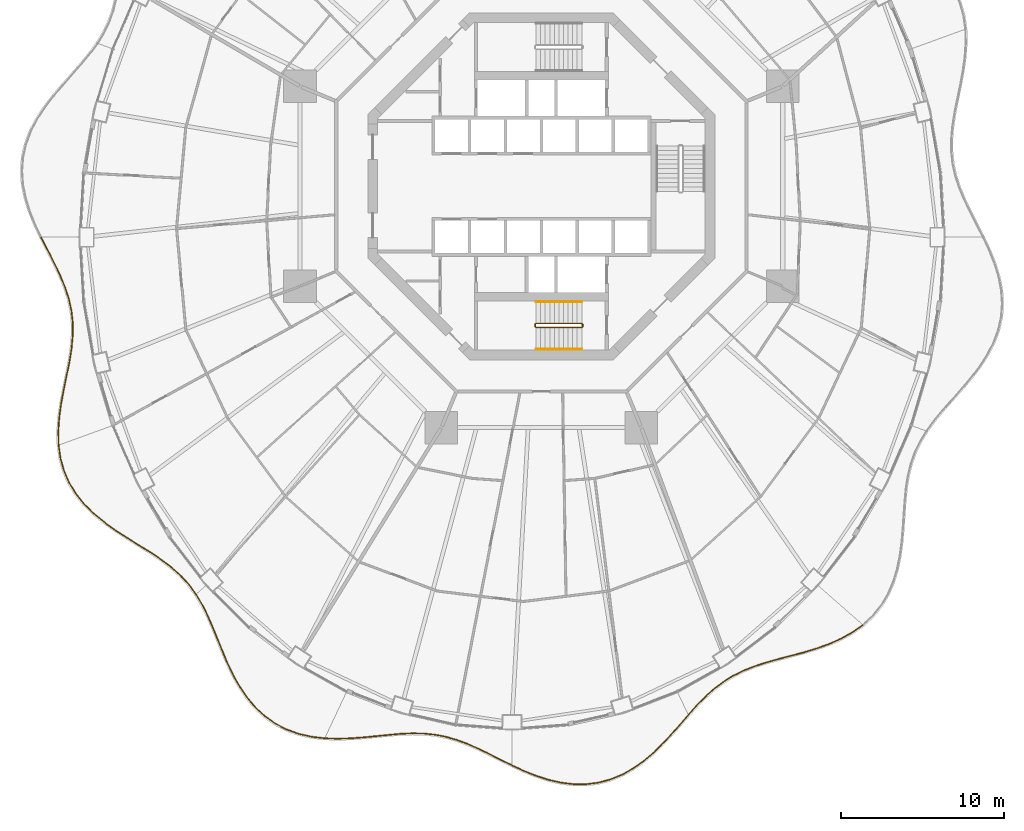
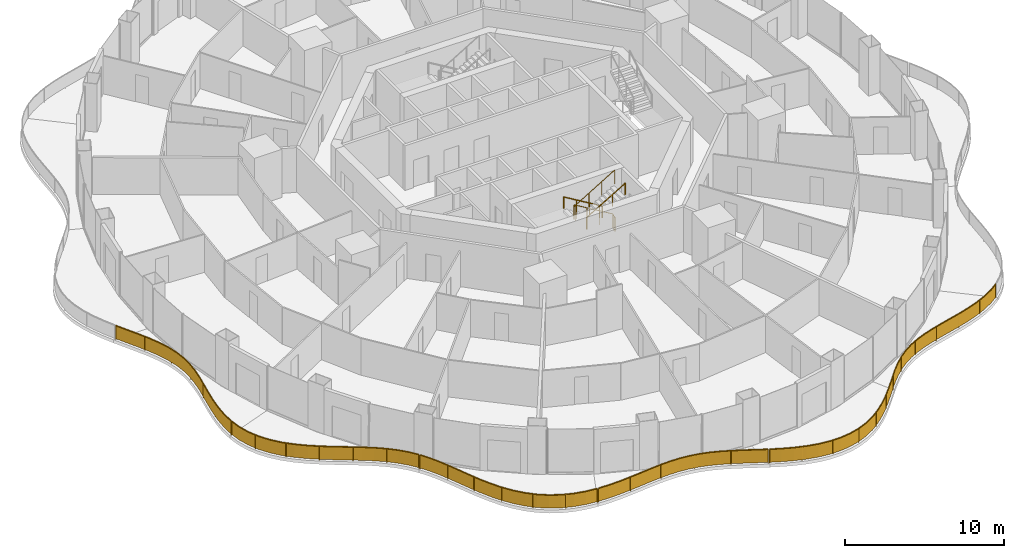
# One storey, part 18 of 20: 9 railings.
"""IFC4 building model written with IfcOpenShell, lengths in metres."""

from ifc_helpers import new_model, si_unit, direction, frame, origin, origin_2d, place, context, subcontext, project, spatial, polyline, rectangle, circle, outline, extrude, material, type_object, element, save


model = new_model("IFC4")

# Units and contexts
model_context = context("Model", 3, precision=1e-05, world=origin(), true_north=direction((0.0, 1.0)))
body_context = subcontext(model_context, "Body", "Model", "MODEL_VIEW")
ifc_project = project(units=[si_unit("LENGTHUNIT", "METRE"), si_unit("AREAUNIT", "SQUARE_METRE"), si_unit("VOLUMEUNIT", "CUBIC_METRE"), si_unit("PLANEANGLEUNIT", "RADIAN"), si_unit("MASSUNIT", "GRAM", prefix="KILO")], contexts=[model_context])

# Site, building, storey
site_placement = place(None, origin())
site = spatial("IfcSite", under=ifc_project, at=site_placement, CompositionType="ELEMENT")
building_placement = place(site_placement, origin())
building = spatial("IfcBuilding", under=site, at=building_placement, Name="Nagisa Residences", CompositionType="ELEMENT")
storey_placement = place(building_placement, frame((0.0, 0.0, 130.699951171875)))
storey = spatial("IfcBuildingStorey", under=building, at=storey_placement, Name="L32", CompositionType="ELEMENT", Elevation=130.699951171875)

# Railings
ifc_material_1 = material(Name="Stainless steel 316", Category="steel")
railing_type_1 = type_object("IfcRailingType", Name="BALCONY GUARD 1100", PredefinedType="BALUSTRADE", material=ifc_material_1)
railing_1_placement = place(storey_placement, frame((-30.62548828125, -3.151611328125, 0.0)))
element("IfcRailing", 1, at=railing_1_placement, inside=storey, type_object=railing_type_1, Name="guard:L32:bal08-0", PredefinedType="BALUSTRADE", context=body_context, shape_type="SweptSolid", body=[
    extrude(outline(polyline([(0.3994140625, -0.728271484375), (0.022216796875, 0.011474609375), (-0.022216796875, -0.011474609375), (0.35498046875, -0.751220703125), (0.745849609375, -1.515625), (1.107421875, -2.265625), (1.417724609375, -3.006103515625), (1.66015625, -3.74267578125), (1.822265625, -4.46826171875), (1.90283203125, -5.217041015625), (1.90283203125, -5.981689453125), (1.83154296875, -6.76708984375), (1.704345703125, -7.5751953125), (1.537841796875, -8.392578125), (1.3623046875, -9.243896484375), (1.2001953125, -10.110107421875), (1.076904296875, -10.983642578125), (1.016357421875, -11.854736328125), (1.0361328125, -12.66552734375), (1.0859375, -12.66455078125), (1.066650390625, -11.855712890625), (1.126708984375, -10.989013671875), (1.24951171875, -10.118408203125), (1.41162109375, -9.253662109375), (1.586669921875, -8.40283203125), (1.753662109375, -7.583984375), (1.88134765625, -6.7734375), (1.95263671875, -5.984130859375), (1.95263671875, -5.214599609375), (1.87158203125, -4.4599609375), (1.70849609375, -3.7294921875), (1.464599609375, -2.988525390625), (1.15283203125, -2.2451171875), (0.790771484375, -1.4931640625), (0.3994140625, -0.728271484375)])), frame((0.0, 0.0, 1.050048828125)), (0.0, 0.0, 1.0), 0.050048828125),
    extrude(outline(polyline([(0.383544921875, -0.736572265625), (0.00634765625, 0.003173828125), (-0.00634765625, -0.003173828125), (0.370849609375, -0.742919921875), (0.761962890625, -1.507568359375), (1.123779296875, -2.25830078125), (1.4345703125, -2.999755859375), (1.677490234375, -3.738037109375), (1.840087890625, -4.46533203125), (1.920654296875, -5.21630859375), (1.920654296875, -5.982666015625), (1.849609375, -6.769287109375), (1.72216796875, -7.578369140625), (1.555419921875, -8.396240234375), (1.380126953125, -9.247314453125), (1.218017578125, -10.113037109375), (1.0947265625, -10.985595703125), (1.034423828125, -11.85498046875), (1.053955078125, -12.665283203125), (1.068115234375, -12.664794921875), (1.048583984375, -11.85546875), (1.10888671875, -10.987060546875), (1.231689453125, -10.115478515625), (1.393798828125, -9.250244140625), (1.569091796875, -8.399169921875), (1.73583984375, -7.580810546875), (1.86328125, -6.771240234375), (1.934814453125, -5.983154296875), (1.934814453125, -5.21533203125), (1.853759765625, -4.462890625), (1.691162109375, -3.734130859375), (1.44775390625, -2.994873046875), (1.136474609375, -2.25244140625), (0.774658203125, -1.501220703125), (0.383544921875, -0.736572265625)])), frame((0.0, 0.0, 0.06005859375)), (0.0, 0.0, 1.0), 0.989990234375),
    extrude(rectangle(XDim=0.0400390625, YDim=0.0400390625, at=origin_2d()), origin(), (0.0, 0.0, 1.0), 1.050048828125),
    extrude(rectangle(XDim=0.0400390625, YDim=0.0400390625, at=origin_2d()), frame((0.98486328125, -1.9541015625, 0.0)), (0.0, 0.0, 1.0), 1.050048828125),
    extrude(rectangle(XDim=0.0400390625, YDim=0.0400390625, at=origin_2d()), frame((1.74365234375, -4.001220703125, 0.0)), (0.0, 0.0, 1.0), 1.050048828125),
    extrude(rectangle(XDim=0.0400390625, YDim=0.0400390625, at=origin_2d()), frame((1.910400390625, -6.173095703125, 0.0)), (0.0, 0.0, 1.0), 1.050048828125),
    extrude(rectangle(XDim=0.0400390625, YDim=0.0400390625, at=origin_2d()), frame((1.575439453125, -8.33349609375, 0.0)), (0.0, 0.0, 1.0), 1.050048828125),
    extrude(rectangle(XDim=0.0400390625, YDim=0.0400390625, at=origin_2d()), frame((1.172607421875, -10.48388671875, 0.0)), (0.0, 0.0, 1.0), 1.050048828125),
    extrude(rectangle(XDim=0.0400390625, YDim=0.0400390625, at=origin_2d()), frame((1.06103515625, -12.6650390625, 0.0)), (0.0, 0.0, 1.0), 1.050048828125),
])
railing_2_placement = place(storey_placement, frame((-29.55859375, -15.893798828125, 0.0)))
element("IfcRailing", 2, at=railing_2_placement, inside=storey, type_object=railing_type_1, Name="guard:L32:bal09-0", PredefinedType="BALUSTRADE", context=body_context, shape_type="SweptSolid", body=[
    extrude(outline(polyline([(0.1318359375, -0.75537109375), (0.024658203125, 0.00341796875), (-0.024658203125, -0.00341796875), (0.08251953125, -0.765625), (0.299560546875, -1.541748046875), (0.62109375, -2.27783203125), (1.0439453125, -2.966552734375), (1.5595703125, -3.605224609375), (2.147705078125, -4.18017578125), (2.8046875, -4.720458984375), (3.50341796875, -5.22021484375), (4.22265625, -5.6875), (4.94140625, -6.135009765625), (5.631591796875, -6.562744140625), (6.293212890625, -7.010009765625), (6.9052734375, -7.477783203125), (7.4599609375, -7.97802734375), (7.9541015625, -8.520751953125), (8.3662109375, -9.079345703125), (8.40625, -9.049560546875), (7.99267578125, -8.489013671875), (7.4951171875, -7.9423828125), (6.9375, -7.439208984375), (6.322509765625, -6.969482421875), (5.658935546875, -6.520751953125), (4.9677734375, -6.092529296875), (4.24951171875, -5.6455078125), (3.53173828125, -5.1787109375), (2.8349609375, -4.680908203125), (2.181396484375, -4.14306640625), (1.5966796875, -3.571533203125), (1.0849609375, -2.937744140625), (0.66552734375, -2.25439453125), (0.346923828125, -1.525146484375), (0.1318359375, -0.75537109375)])), frame((0.0, 0.0, 1.050048828125)), (0.0, 0.0, 1.0), 0.050048828125),
    extrude(outline(polyline([(0.114013671875, -0.759033203125), (0.0068359375, 0.0009765625), (-0.0068359375, -0.0009765625), (0.100341796875, -0.761962890625), (0.316650390625, -1.535888671875), (0.63720703125, -2.269287109375), (1.058837890625, -2.956298828125), (1.572998046875, -3.593017578125), (2.159912109375, -4.166748046875), (2.815673828125, -4.706298828125), (3.513671875, -5.205322265625), (4.232421875, -5.67236328125), (4.950927734375, -6.11962890625), (5.641357421875, -6.547607421875), (6.3037109375, -6.995361328125), (6.9169921875, -7.4638671875), (7.47265625, -7.965087890625), (7.968017578125, -8.50927734375), (8.380615234375, -9.068603515625), (8.391845703125, -9.060302734375), (7.978759765625, -8.50048828125), (7.482421875, -7.955322265625), (6.92578125, -7.453125), (6.31201171875, -6.984130859375), (5.649169921875, -6.535888671875), (4.958251953125, -6.10791015625), (4.23974609375, -5.66064453125), (3.521484375, -5.193603515625), (2.823974609375, -4.695068359375), (2.169189453125, -4.156494140625), (1.583251953125, -3.583740234375), (1.070068359375, -2.947998046875), (0.6494140625, -2.262939453125), (0.329833984375, -1.531005859375), (0.114013671875, -0.759033203125)])), frame((0.0, 0.0, 0.06005859375)), (0.0, 0.0, 1.0), 0.989990234375),
    extrude(rectangle(XDim=0.0400390625, YDim=0.0400390625, at=origin_2d()), origin(), (0.0, 0.0, 1.0), 1.050048828125),
    extrude(rectangle(XDim=0.0400390625, YDim=0.0400390625, at=origin_2d()), frame((0.547607421875, -2.04736328125, 0.0)), (0.0, 0.0, 1.0), 1.050048828125),
    extrude(rectangle(XDim=0.0400390625, YDim=0.0400390625, at=origin_2d()), frame((1.77099609375, -3.77685546875, 0.0)), (0.0, 0.0, 1.0), 1.050048828125),
    extrude(rectangle(XDim=0.0400390625, YDim=0.0400390625, at=origin_2d()), frame((3.415771484375, -5.126708984375, 0.0)), (0.0, 0.0, 1.0), 1.050048828125),
    extrude(rectangle(XDim=0.0400390625, YDim=0.0400390625, at=origin_2d()), frame((5.2119140625, -6.273193359375, 0.0)), (0.0, 0.0, 1.0), 1.050048828125),
    extrude(rectangle(XDim=0.0400390625, YDim=0.0400390625, at=origin_2d()), frame((6.958251953125, -7.49169921875, 0.0)), (0.0, 0.0, 1.0), 1.050048828125),
    extrude(rectangle(XDim=0.0400390625, YDim=0.0400390625, at=origin_2d()), frame((8.38623046875, -9.064453125, 0.0)), (0.0, 0.0, 1.0), 1.050048828125),
])
railing_3_placement = place(storey_placement, frame((-21.135009765625, -25.016845703125, 0.0)))
element("IfcRailing", 3, at=railing_3_placement, inside=storey, type_object=railing_type_1, Name="guard:L32:bal10-0", PredefinedType="BALUSTRADE", context=body_context, shape_type="SweptSolid", body=[
    extrude(outline(polyline([(0.369140625, -0.56591796875), (0.021484375, 0.012939453125), (-0.021484375, -0.012939453125), (0.3251953125, -0.59033203125), (0.6572265625, -1.248779296875), (0.96533203125, -1.94775390625), (1.263427734375, -2.679443359375), (1.566650390625, -3.4306640625), (1.8779296875, -4.177001953125), (2.2353515625, -4.923095703125), (2.638427734375, -5.64111328125), (3.09619140625, -6.31396484375), (3.61474609375, -6.926025390625), (4.183837890625, -7.455810546875), (4.824462890625, -7.907958984375), (5.523193359375, -8.27001953125), (6.270751953125, -8.539794921875), (7.05712890625, -8.7197265625), (7.823486328125, -8.8095703125), (7.829345703125, -8.759765625), (7.0654296875, -8.67041015625), (6.284912109375, -8.491455078125), (5.543212890625, -8.22412109375), (4.850341796875, -7.864990234375), (4.215576171875, -7.416748046875), (3.65087890625, -6.891357421875), (3.13623046875, -6.28369140625), (2.680908203125, -5.61474609375), (2.27978515625, -4.900146484375), (1.923828125, -4.156494140625), (1.613037109375, -3.41162109375), (1.309814453125, -2.660400390625), (1.01123046875, -1.92822265625), (0.70263671875, -1.227294921875), (0.369140625, -0.56591796875)])), frame((0.0, 0.0, 1.050048828125)), (0.0, 0.0, 1.0), 0.050048828125),
    extrude(outline(polyline([(0.353271484375, -0.57470703125), (0.006103515625, 0.003662109375), (-0.006103515625, -0.003662109375), (0.341064453125, -0.58154296875), (0.673583984375, -1.240966796875), (0.98193359375, -1.940673828125), (1.280029296875, -2.672607421875), (1.583251953125, -3.423828125), (1.89453125, -4.169677734375), (2.25146484375, -4.914794921875), (2.65380859375, -5.631591796875), (3.110595703125, -6.302978515625), (3.627685546875, -6.91357421875), (4.1953125, -7.441650390625), (4.833740234375, -7.892578125), (5.5302734375, -8.25341796875), (6.27587890625, -8.5224609375), (7.06005859375, -8.701904296875), (7.82568359375, -8.79150390625), (7.8271484375, -8.77783203125), (7.0625, -8.688232421875), (6.27978515625, -8.5087890625), (5.5361328125, -8.24072265625), (4.841064453125, -7.88037109375), (4.2041015625, -7.430908203125), (3.637939453125, -6.90380859375), (3.121826171875, -6.294677734375), (2.66552734375, -5.624267578125), (2.263671875, -4.908447265625), (1.9072265625, -4.163818359375), (1.596435546875, -3.41845703125), (1.293212890625, -2.667236328125), (0.99462890625, -1.935302734375), (0.686279296875, -1.235107421875), (0.353271484375, -0.57470703125)])), frame((0.0, 0.0, 0.06005859375)), (0.0, 0.0, 1.0), 0.989990234375),
    extrude(rectangle(XDim=0.0400390625, YDim=0.0400390625, at=origin_2d()), origin(), (0.0, 0.0, 1.0), 1.050048828125),
    extrude(rectangle(XDim=0.0400390625, YDim=0.0400390625, at=origin_2d()), frame((0.953369140625, -1.858642578125, 0.0)), (0.0, 0.0, 1.0), 1.050048828125),
    extrude(rectangle(XDim=0.0400390625, YDim=0.0400390625, at=origin_2d()), frame((1.745361328125, -3.794189453125, 0.0)), (0.0, 0.0, 1.0), 1.050048828125),
    extrude(rectangle(XDim=0.0400390625, YDim=0.0400390625, at=origin_2d()), frame((2.682373046875, -5.661376953125, 0.0)), (0.0, 0.0, 1.0), 1.050048828125),
    extrude(rectangle(XDim=0.0400390625, YDim=0.0400390625, at=origin_2d()), frame((4.014404296875, -7.263916015625, 0.0)), (0.0, 0.0, 1.0), 1.050048828125),
    extrude(rectangle(XDim=0.0400390625, YDim=0.0400390625, at=origin_2d()), frame((5.791015625, -8.340087890625, 0.0)), (0.0, 0.0, 1.0), 1.050048828125),
    extrude(rectangle(XDim=0.0400390625, YDim=0.0400390625, at=origin_2d()), frame((7.826416015625, -8.78466796875, 0.0)), (0.0, 0.0, 1.0), 1.050048828125),
])
railing_4_placement = place(storey_placement, frame((-13.2314453125, -33.806640625, 0.0)))
element("IfcRailing", 4, at=railing_4_placement, inside=storey, type_object=railing_type_1, Name="guard:L32:bal11-0", PredefinedType="BALUSTRADE", context=body_context, shape_type="SweptSolid", body=[
    extrude(outline(polyline([(0.750244140625, 0.00146484375), (0.000732421875, 0.02490234375), (-0.000732421875, -0.02490234375), (0.750244140625, -0.048828125), (1.552978515625, -0.025390625), (2.3505859375, 0.033447265625), (3.13525390625, 0.110107421875), (3.901123046875, 0.18701171875), (4.6279296875, 0.252685546875), (5.34765625, 0.28076171875), (6.045654296875, 0.264892578125), (6.724609375, 0.19482421875), (7.389892578125, 0.066650390625), (8.030517578125, -0.11865234375), (8.6884765625, -0.3623046875), (9.351806640625, -0.65380859375), (10.02734375, -0.9814453125), (10.718994140625, -1.329345703125), (11.38623046875, -1.662353515625), (11.40869140625, -1.617431640625), (10.741455078125, -1.284423828125), (10.04931640625, -0.9365234375), (9.372802734375, -0.6083984375), (8.70703125, -0.31591796875), (8.046142578125, -0.0712890625), (7.401611328125, 0.115478515625), (6.73193359375, 0.24462890625), (6.048583984375, 0.314697265625), (5.34716796875, 0.3310546875), (4.62451171875, 0.302490234375), (3.896240234375, 0.23681640625), (3.13037109375, 0.159912109375), (2.34619140625, 0.083251953125), (1.550537109375, 0.0244140625), (0.750244140625, 0.00146484375)])), frame((0.0, 0.0, 1.050048828125)), (0.0, 0.0, 1.0), 0.050048828125),
    extrude(outline(polyline([(0.750244140625, -0.0166015625), (0.000244140625, 0.007080078125), (-0.000244140625, -0.007080078125), (0.750244140625, -0.03076171875), (1.552001953125, -0.007568359375), (2.348876953125, 0.05126953125), (3.133544921875, 0.1279296875), (3.8994140625, 0.204833984375), (4.626708984375, 0.2705078125), (5.347412109375, 0.298828125), (6.046630859375, 0.28271484375), (6.727294921875, 0.212890625), (7.39404296875, 0.084228515625), (8.0361328125, -0.1015625), (8.695068359375, -0.345703125), (9.359375, -0.637451171875), (10.03515625, -0.96533203125), (10.72705078125, -1.313232421875), (11.394287109375, -1.646240234375), (11.400634765625, -1.633544921875), (10.7333984375, -1.300537109375), (10.04150390625, -0.95263671875), (9.365234375, -0.624755859375), (8.700439453125, -0.33251953125), (8.04052734375, -0.08837890625), (7.3974609375, 0.097900390625), (6.729248046875, 0.2265625), (6.047607421875, 0.296875), (5.347412109375, 0.31298828125), (4.625732421875, 0.28466796875), (3.89794921875, 0.218994140625), (3.132080078125, 0.14208984375), (2.347900390625, 0.0654296875), (1.551513671875, 0.006591796875), (0.750244140625, -0.0166015625)])), frame((0.0, 0.0, 0.06005859375)), (0.0, 0.0, 1.0), 0.989990234375),
    extrude(rectangle(XDim=0.0400390625, YDim=0.0400390625, at=origin_2d()), origin(), (0.0, 0.0, 1.0), 1.050048828125),
    extrude(rectangle(XDim=0.0400390625, YDim=0.0400390625, at=origin_2d()), frame((2.356201171875, 0.05908203125, 0.0)), (0.0, 0.0, 1.0), 1.050048828125),
    extrude(rectangle(XDim=0.0400390625, YDim=0.0400390625, at=origin_2d()), frame((4.70458984375, 0.28076171875, 0.0)), (0.0, 0.0, 1.0), 1.050048828125),
    extrude(rectangle(XDim=0.0400390625, YDim=0.0400390625, at=origin_2d()), frame((7.053466796875, 0.156982421875, 0.0)), (0.0, 0.0, 1.0), 1.050048828125),
    extrude(rectangle(XDim=0.0400390625, YDim=0.0400390625, at=origin_2d()), frame((9.2822265625, -0.595947265625, 0.0)), (0.0, 0.0, 1.0), 1.050048828125),
    extrude(rectangle(XDim=0.0400390625, YDim=0.0400390625, at=origin_2d()), frame((11.3974609375, -1.639892578125, 0.0)), (0.0, 0.0, 1.0), 1.050048828125),
])
railing_5_placement = place(storey_placement, frame((-1.765625, -35.48095703125, 0.0)))
element("IfcRailing", 5, at=railing_5_placement, inside=storey, type_object=railing_type_1, Name="guard:L32:bal12-0", PredefinedType="BALUSTRADE", context=body_context, shape_type="SweptSolid", body=[
    extrude(outline(polyline([(0.6962890625, -0.29541015625), (0.010498046875, 0.022705078125), (-0.010498046875, -0.022705078125), (0.67626953125, -0.34130859375), (1.42529296875, -0.641357421875), (2.189208984375, -0.888427734375), (2.963134765625, -1.0654296875), (3.739013671875, -1.159423828125), (4.495849609375, -1.163330078125), (5.2568359375, -1.06591796875), (5.99755859375, -0.868896484375), (6.71142578125, -0.576904296875), (7.3935546875, -0.197021484375), (8.023681640625, 0.253173828125), (8.635009765625, 0.769287109375), (9.2119140625, 1.3291015625), (9.7587890625, 1.91455078125), (10.281982421875, 2.50732421875), (10.758056640625, 3.057861328125), (10.719970703125, 3.090576171875), (10.244384765625, 2.5400390625), (9.7216796875, 1.9482421875), (9.17626953125, 1.3642578125), (8.601318359375, 0.806396484375), (7.992919921875, 0.292724609375), (7.36669921875, -0.154541015625), (6.689453125, -0.531494140625), (5.9814453125, -0.821533203125), (5.2470703125, -1.0166015625), (4.492919921875, -1.113037109375), (3.741943359375, -1.109619140625), (2.971923828125, -1.01611328125), (2.202392578125, -0.840087890625), (1.4423828125, -0.594482421875), (0.6962890625, -0.29541015625)])), frame((0.0, 0.0, 1.050048828125)), (0.0, 0.0, 1.0), 0.050048828125),
    extrude(outline(polyline([(0.68896484375, -0.31201171875), (0.0029296875, 0.00634765625), (-0.0029296875, -0.00634765625), (0.68359375, -0.32470703125), (1.431396484375, -0.62451171875), (2.19384765625, -0.87109375), (2.96630859375, -1.047607421875), (3.739990234375, -1.1416015625), (4.494873046875, -1.145263671875), (5.25341796875, -1.048095703125), (5.99169921875, -0.851806640625), (6.703369140625, -0.560546875), (7.3837890625, -0.181640625), (8.0126953125, 0.267333984375), (8.622802734375, 0.78271484375), (9.198974609375, 1.341796875), (9.745361328125, 1.9267578125), (10.2685546875, 2.51904296875), (10.744384765625, 3.069580078125), (10.733642578125, 3.078857421875), (10.2578125, 2.5283203125), (9.735107421875, 1.93603515625), (9.189208984375, 1.3515625), (8.613525390625, 0.79296875), (8.00390625, 0.278564453125), (7.37646484375, -0.169921875), (6.697509765625, -0.5478515625), (5.9873046875, -0.838623046875), (5.25048828125, -1.034423828125), (4.493896484375, -1.131103515625), (3.740966796875, -1.12744140625), (2.96875, -1.033935546875), (2.19775390625, -0.857421875), (1.436279296875, -0.611328125), (0.68896484375, -0.31201171875)])), frame((0.0, 0.0, 0.06005859375)), (0.0, 0.0, 1.0), 0.989990234375),
    extrude(rectangle(XDim=0.0400390625, YDim=0.0400390625, at=origin_2d()), origin(), (0.0, 0.0, 1.0), 1.050048828125),
    extrude(rectangle(XDim=0.0400390625, YDim=0.0400390625, at=origin_2d()), frame((1.922119140625, -0.77587890625, 0.0)), (0.0, 0.0, 1.0), 1.050048828125),
    extrude(rectangle(XDim=0.0400390625, YDim=0.0400390625, at=origin_2d()), frame((3.957763671875, -1.135498046875, 0.0)), (0.0, 0.0, 1.0), 1.050048828125),
    extrude(rectangle(XDim=0.0400390625, YDim=0.0400390625, at=origin_2d()), frame((6.0, -0.8408203125, 0.0)), (0.0, 0.0, 1.0), 1.050048828125),
    extrude(rectangle(XDim=0.0400390625, YDim=0.0400390625, at=origin_2d()), frame((7.81982421875, 0.138427734375, 0.0)), (0.0, 0.0, 1.0), 1.050048828125),
    extrude(rectangle(XDim=0.0400390625, YDim=0.0400390625, at=origin_2d()), frame((9.35986328125, 1.524169921875, 0.0)), (0.0, 0.0, 1.0), 1.050048828125),
    extrude(rectangle(XDim=0.0400390625, YDim=0.0400390625, at=origin_2d()), frame((10.739013671875, 3.07421875, 0.0)), (0.0, 0.0, 1.0), 1.050048828125),
])
railing_6_placement = place(storey_placement, frame((9.021484375, -32.34912109375, 0.0)))
element("IfcRailing", 6, at=railing_6_placement, inside=storey, type_object=railing_type_1, Name="guard:L32:bal13-0", PredefinedType="BALUSTRADE", context=body_context, shape_type="SweptSolid", body=[
    extrude(outline(polyline([(0.469970703125, 0.562744140625), (-0.0185546875, 0.0166015625), (0.0185546875, -0.0166015625), (0.506591796875, 0.528564453125), (1.030029296875, 1.06494140625), (1.568359375, 1.5498046875), (2.131103515625, 1.977783203125), (2.7265625, 2.347900390625), (3.34619140625, 2.654296875), (4.02001953125, 2.923583984375), (4.733154296875, 3.156494140625), (5.480712890625, 3.367431640625), (6.254150390625, 3.57177734375), (7.03076171875, 3.774658203125), (7.8203125, 4.013916015625), (8.59619140625, 4.292236328125), (9.342529296875, 4.62255859375), (10.0439453125, 5.01416015625), (10.64794921875, 5.44384765625), (10.619140625, 5.48486328125), (10.01708984375, 5.056640625), (9.320068359375, 4.66748046875), (8.57763671875, 4.338623046875), (7.8046875, 4.061279296875), (7.01708984375, 3.822998046875), (6.241455078125, 3.6201171875), (5.467529296875, 3.415771484375), (4.718505859375, 3.204345703125), (4.0029296875, 2.970458984375), (3.32568359375, 2.7001953125), (2.7021484375, 2.391845703125), (2.102783203125, 2.019287109375), (1.53662109375, 1.58837890625), (0.995361328125, 1.10107421875), (0.469970703125, 0.562744140625)])), frame((0.0, 0.0, 1.050048828125)), (0.0, 0.0, 1.0), 0.050048828125),
    extrude(outline(polyline([(0.483154296875, 0.550537109375), (-0.005126953125, 0.004638671875), (0.005126953125, -0.004638671875), (0.493408203125, 0.540771484375), (1.017578125, 1.077880859375), (1.556884765625, 1.563720703125), (2.120849609375, 1.99267578125), (2.7177734375, 2.36376953125), (3.3388671875, 2.6708984375), (4.013916015625, 2.9404296875), (4.727783203125, 3.173828125), (5.47607421875, 3.384765625), (6.24951171875, 3.589111328125), (7.02587890625, 3.7919921875), (7.814697265625, 4.031005859375), (8.589599609375, 4.308837890625), (9.33447265625, 4.638671875), (10.0341796875, 5.029541015625), (10.6376953125, 5.458740234375), (10.62939453125, 5.469970703125), (10.02685546875, 5.041259765625), (9.328125, 4.6513671875), (8.584228515625, 4.322021484375), (7.810302734375, 4.044189453125), (7.02197265625, 3.8056640625), (6.24609375, 3.602783203125), (5.47216796875, 3.3984375), (4.723876953125, 3.18701171875), (4.009033203125, 2.95361328125), (3.3330078125, 2.68359375), (2.7109375, 2.3759765625), (2.113037109375, 2.00439453125), (1.548095703125, 1.574462890625), (1.0078125, 1.088134765625), (0.483154296875, 0.550537109375)])), frame((0.0, 0.0, 0.06005859375)), (0.0, 0.0, 1.0), 0.989990234375),
    extrude(rectangle(XDim=0.0400390625, YDim=0.0400390625, at=origin_2d()), origin(), (0.0, 0.0, 1.0), 1.050048828125),
    extrude(rectangle(XDim=0.0400390625, YDim=0.0400390625, at=origin_2d()), frame((1.418701171875, 1.448486328125, 0.0)), (0.0, 0.0, 1.0), 1.050048828125),
    extrude(rectangle(XDim=0.0400390625, YDim=0.0400390625, at=origin_2d()), frame((3.105712890625, 2.5634765625, 0.0)), (0.0, 0.0, 1.0), 1.050048828125),
    extrude(rectangle(XDim=0.0400390625, YDim=0.0400390625, at=origin_2d()), frame((5.00830078125, 3.26025390625, 0.0)), (0.0, 0.0, 1.0), 1.050048828125),
    extrude(rectangle(XDim=0.0400390625, YDim=0.0400390625, at=origin_2d()), frame((6.96875, 3.784423828125, 0.0)), (0.0, 0.0, 1.0), 1.050048828125),
    extrude(rectangle(XDim=0.0400390625, YDim=0.0400390625, at=origin_2d()), frame((8.884521484375, 4.447265625, 0.0)), (0.0, 0.0, 1.0), 1.050048828125),
    extrude(rectangle(XDim=0.0400390625, YDim=0.0400390625, at=origin_2d()), frame((10.633544921875, 5.46435546875, 0.0)), (0.0, 0.0, 1.0), 1.050048828125),
])
ifc_material_2 = material(Name="Stainless steel", Category="steel")
railing_type_2 = type_object("IfcRailingType", Name="Stair guard 1100", PredefinedType="GUARDRAIL", material=ifc_material_2)
railing_7_placement = place(storey_placement, frame((2.52490234375, -8.599609375, 0.0)))
element("IfcRailing", 7, at=railing_7_placement, inside=storey, type_object=railing_type_2, Name="L32 ST-S stair guard 1", PredefinedType="GUARDRAIL", context=body_context, shape_type="SweptSolid", body=[
    extrude(circle(Radius=0.02392578125, at=origin_2d()), frame((0.0, 0.0, 1.076171875), z_axis=(0.0, 1.0, 0.0), x_axis=(-1.0, 0.0, 0.0)), (0.0, 0.0, 1.0), 0.14990234375),
    extrude(circle(Radius=0.02392578125, at=origin_2d()), frame((0.0, 0.14990234375, 1.076171875), z_axis=(-0.273006030465, 0.27434429532, 0.922064485248), x_axis=(-0.708833529934, -0.705375805398, 0.0)), (0.0, 0.0, 1.0), 0.182373046875),
    extrude(circle(Radius=0.02392578125, at=origin_2d()), frame((-0.0498046875, 0.199951171875, 1.244140625), z_axis=(-0.857242210791, 0.0, 0.514913383045), x_axis=(0.0, -1.0, 0.0)), (0.0, 0.0, 1.0), 3.266357421875),
    extrude(circle(Radius=0.02392578125, at=origin_2d()), frame((-2.849853515625, 0.199951171875, 2.92626953125), z_axis=(-0.707106781187, -0.707106781187, 0.0), x_axis=(0.707106781187, -0.707106781187, 0.0)), (0.0, 0.0, 1.0), 0.07080078125),
    extrude(circle(Radius=0.02392578125, at=origin_2d()), frame((-2.89990234375, 0.14990234375, 2.92626953125), z_axis=(0.0, -1.0, 0.0), x_axis=(1.0, 0.0, 0.0)), (0.0, 0.0, 1.0), 0.14990234375),
    extrude(circle(Radius=0.02392578125, at=origin_2d()), frame((-2.89990234375, 0.0, 2.92626953125), z_axis=(0.274243871929, -0.274243871929, 0.92172696468), x_axis=(0.707106781187, 0.707106781187, 0.0)), (0.0, 0.0, 1.0), 0.1826171875),
    extrude(circle(Radius=0.02392578125, at=origin_2d()), frame((-2.849853515625, -0.050048828125, 3.09423828125), z_axis=(0.857275202839, 0.0, 0.514858452973), x_axis=(0.0, 1.0, 0.0)), (0.0, 0.0, 1.0), 3.26611328125),
    extrude(circle(Radius=0.02099609375, at=origin_2d()), origin(), (0.0, 0.0, 1.0), 1.052001953125),
    extrude(circle(Radius=0.02099609375, at=origin_2d()), frame((0.0, 0.14990234375, 0.0)), (0.0, 0.0, 1.0), 1.052001953125),
    extrude(circle(Radius=0.02099609375, at=origin_2d()), frame((-0.0498046875, 0.199951171875, 0.168212890625)), (0.0, 0.0, 1.0), 1.052001953125),
    extrude(circle(Radius=0.02099609375, at=origin_2d()), frame((-0.983154296875, 0.199951171875, 0.728759765625)), (0.0, 0.0, 1.0), 1.052001953125),
    extrude(circle(Radius=0.02099609375, at=origin_2d()), frame((-1.91650390625, 0.199951171875, 1.28955078125)), (0.0, 0.0, 1.0), 1.052001953125),
    extrude(circle(Radius=0.02099609375, at=origin_2d()), frame((-2.849853515625, 0.199951171875, 1.85009765625)), (0.0, 0.0, 1.0), 1.052001953125),
    extrude(circle(Radius=0.02099609375, at=origin_2d()), frame((-2.89990234375, 0.14990234375, 1.85009765625)), (0.0, 0.0, 1.0), 1.052001953125),
    extrude(circle(Radius=0.02099609375, at=origin_2d()), frame((-2.89990234375, 0.0, 1.85009765625)), (0.0, 0.0, 1.0), 1.052001953125),
    extrude(circle(Radius=0.02099609375, at=origin_2d()), frame((-2.849853515625, -0.050048828125, 2.018310546875)), (0.0, 0.0, 1.0), 1.052001953125),
    extrude(circle(Radius=0.02099609375, at=origin_2d()), frame((-1.91650390625, -0.050048828125, 2.578857421875)), (0.0, 0.0, 1.0), 1.052001953125),
    extrude(circle(Radius=0.02099609375, at=origin_2d()), frame((-0.983154296875, -0.050048828125, 3.139404296875)), (0.0, 0.0, 1.0), 1.052001953125),
    extrude(circle(Radius=0.02099609375, at=origin_2d()), frame((-0.0498046875, -0.050048828125, 3.699951171875)), (0.0, 0.0, 1.0), 1.052001953125),
])
ifc_material_3 = material(Name="Stainless steel", Category="steel")
railing_type_3 = type_object("IfcRailingType", Name="Stair handrail 900", PredefinedType="HANDRAIL", material=ifc_material_3)
railing_8_placement = place(storey_placement, frame((2.47509765625, -7.07470703125, 0.168212890625)))
element("IfcRailing", 8, at=railing_8_placement, inside=storey, type_object=railing_type_3, Name="L32 ST-S stair handrail 1", PredefinedType="HANDRAIL", context=body_context, shape_type="SweptSolid", body=[
    extrude(circle(Radius=0.02392578125, at=origin_2d()), frame((0.0, 0.0, 0.8759765625), z_axis=(-0.857242210791, 0.0, 0.514913383045), x_axis=(0.0, -1.0, 0.0)), (0.0, 0.0, 1.0), 3.266357421875),
    extrude(circle(Radius=0.02099609375, at=origin_2d()), origin(), (0.0, 0.0, 1.0), 0.851806640625),
    extrude(circle(Radius=0.02099609375, at=origin_2d()), frame((-0.933349609375, 0.0, 0.560546875)), (0.0, 0.0, 1.0), 0.851806640625),
    extrude(circle(Radius=0.02099609375, at=origin_2d()), frame((-1.86669921875, 0.0, 1.121337890625)), (0.0, 0.0, 1.0), 0.851806640625),
    extrude(circle(Radius=0.02099609375, at=origin_2d()), frame((-2.800048828125, 0.0, 1.681884765625)), (0.0, 0.0, 1.0), 0.851806640625),
])
railing_9_placement = place(storey_placement, frame((-0.324951171875, -9.974609375, 2.018310546875)))
element("IfcRailing", 9, at=railing_9_placement, inside=storey, type_object=railing_type_3, Name="L32 ST-S stair handrail 2", PredefinedType="HANDRAIL", context=body_context, shape_type="SweptSolid", body=[
    extrude(circle(Radius=0.02392578125, at=origin_2d()), frame((0.0, 0.0, 0.8759765625), z_axis=(0.857275202839, 0.0, 0.514858452973), x_axis=(0.0, 1.0, 0.0)), (0.0, 0.0, 1.0), 3.26611328125),
    extrude(circle(Radius=0.02099609375, at=origin_2d()), origin(), (0.0, 0.0, 1.0), 0.851806640625),
    extrude(circle(Radius=0.02099609375, at=origin_2d()), frame((0.933349609375, 0.0, 0.560546875)), (0.0, 0.0, 1.0), 0.851806640625),
    extrude(circle(Radius=0.02099609375, at=origin_2d()), frame((1.86669921875, 0.0, 1.12109375)), (0.0, 0.0, 1.0), 0.851806640625),
    extrude(circle(Radius=0.02099609375, at=origin_2d()), frame((2.800048828125, 0.0, 1.681640625)), (0.0, 0.0, 1.0), 0.851806640625),
])

save(model, "model.ifc")
